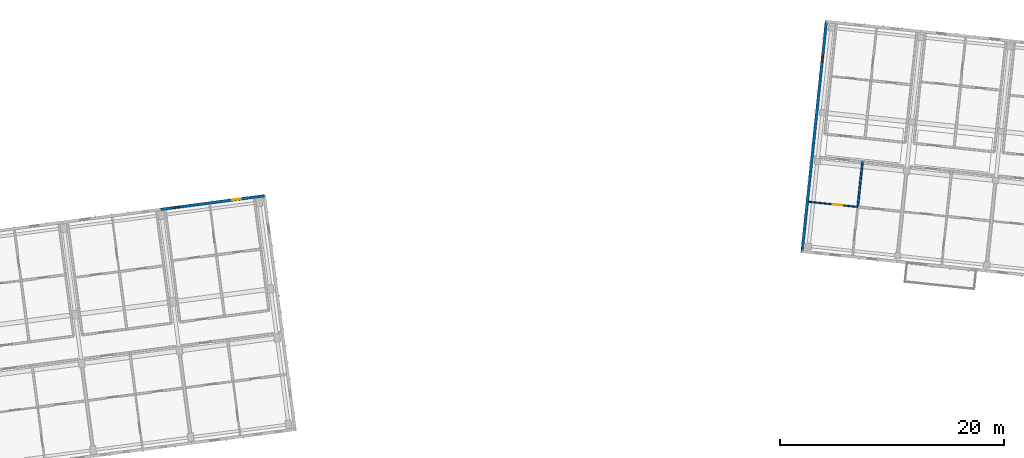
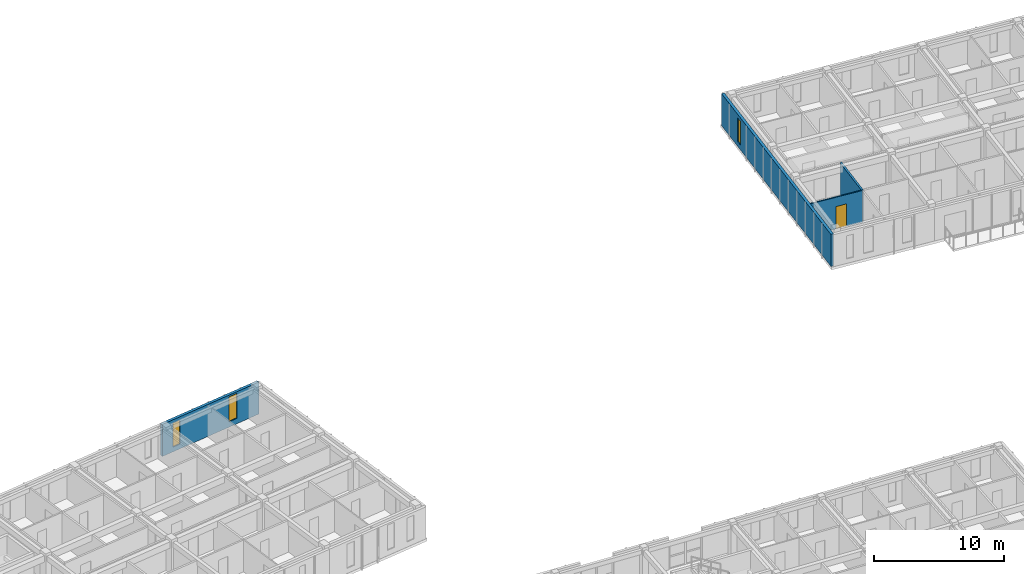
# One storey, part 32 of 68: 4 walls, 3 windows, 1 door, 4 openings.
"""IFC4 building model written with IfcOpenShell, lengths in metres."""

from ifc_helpers import new_model, si_unit, direction, frame, frame_2d, origin, place, context, subcontext, project, spatial, rectangle, extrude, material, layer, layer_set, type_object, element, fill, save


model = new_model("IFC4")

# Units and contexts
model_context = context("Model", 3, precision=1e-05, world=origin(), true_north=direction((0.0, 1.0)))
body_context = subcontext(model_context, "Body", "Model", "MODEL_VIEW")
ifc_project = project(units=[si_unit("LENGTHUNIT", "METRE"), si_unit("AREAUNIT", "SQUARE_METRE"), si_unit("VOLUMEUNIT", "CUBIC_METRE"), si_unit("PLANEANGLEUNIT", "RADIAN"), si_unit("MASSUNIT", "GRAM", prefix="KILO")], contexts=[model_context])

# Site, building, storey
site_placement = place(None, origin())
site = spatial("IfcSite", under=ifc_project, at=site_placement, CompositionType="ELEMENT")
building_placement = place(site_placement, origin())
building = spatial("IfcBuilding", under=site, at=building_placement, Name="Kestramere Prow Commons", CompositionType="ELEMENT")
storey_placement = place(building_placement, frame((0.0, 0.0, 18.14990234375)))
storey = spatial("IfcBuildingStorey", under=building, at=storey_placement, Name="L05", CompositionType="ELEMENT", Elevation=18.14990234375)

# Wall, openings, windows
ifc_material_1 = material(Name="Fluoropolymer Standing-Seam Zinc-Aluminium Cladding", Category="aluminium")
ifc_layer_1 = layer(ifc_material_1, 0.239990234375)
ifc_layer_set_1 = layer_set([ifc_layer_1], Name="Fluoropolymer Standing-Seam Zinc-Aluminium Cladding")
wall_type_1 = type_object("IfcWallType", Name="EW-SEAM-240", PredefinedType="SOLIDWALL", material=ifc_layer_set_1)
wall_1_placement = place(storey_placement, frame((52.14453125, 98.092529296875, 0.0), z_axis=(0.0, 0.0, 1.0), x_axis=(0.991442885224, 0.130541201693, 0.0)))
wall_1 = element("IfcWall", 1, at=wall_1_placement, inside=storey, type_object=wall_type_1, Name="Block A L05 North Standing-Seam Wall 6", PredefinedType="SOLIDWALL", context=body_context, shape_type="SweptSolid", body=[
    extrude(rectangle(XDim=9.324951171875, YDim=0.239990234375, at=frame_2d((4.66259765625, 0.0))), origin(), (0.0, 0.0, 1.0), 3.0),
])
opening_1_placement = place(wall_1_placement, frame((1.0126953125, 0.0, 0.43994140625)))
opening_1 = element("IfcOpeningElement", 2, at=opening_1_placement, cuts=wall_1, Name="Opening WN-06", PredefinedType="OPENING", context=body_context, shape_type="SweptSolid", body=[
    extrude(rectangle(XDim=0.679931640625, YDim=2.239990234375, at=frame_2d((0.33984375, 1.1201171875))), frame((0.0, 0.135009765625, 0.0), z_axis=(0.0, -1.0, 0.0), x_axis=(1.0, 0.0, 0.0)), (0.0, 0.0, 1.0), 0.27001953125),
])
opening_2_placement = place(wall_1_placement, frame((6.447998046875, 0.0, 0.5)))
opening_2 = element("IfcOpeningElement", 3, at=opening_2_placement, cuts=wall_1, Name="Opening WN-10", PredefinedType="OPENING", context=body_context, shape_type="SweptSolid", body=[
    extrude(rectangle(XDim=0.760009765625, YDim=2.340087890625, at=frame_2d((0.3798828125, 1.169921875))), frame((0.0, 0.135009765625, 0.0), z_axis=(0.0, -1.0, 0.0), x_axis=(1.0, 0.0, 0.0)), (0.0, 0.0, 1.0), 0.27001953125),
])
ifc_material_2 = material(Name="Low-E Laminated Double Glazing", Category="glass")
window_type_1 = type_object("IfcWindowType", Name="WN-NAR-680A", PartitioningType="SINGLE_PANEL", PredefinedType="WINDOW", material=ifc_material_2)
window_1_placement = place(opening_1_placement, origin())
window_1 = element("IfcWindow", 4, at=window_1_placement, inside=storey, type_object=window_type_1, Name="WN-A-L05-N-5-0", OverallHeight=2.239990234375, OverallWidth=0.679931640625, PartitioningType="SINGLE_PANEL", PredefinedType="WINDOW", context=body_context, shape_type="SweptSolid", body=[
    extrude(rectangle(XDim=0.679931640625, YDim=2.239990234375, at=frame_2d((0.33984375, 1.1201171875))), frame((0.0, 0.030029296875, 0.0), z_axis=(0.0, -1.0, 0.0), x_axis=(1.0, 0.0, 0.0)), (0.0, 0.0, 1.0), 0.06005859375),
])
fill(opening_1, window_1)
window_type_2 = type_object("IfcWindowType", Name="WN-NAR-760A", PartitioningType="SINGLE_PANEL", PredefinedType="WINDOW", material=ifc_material_2)
window_2_placement = place(opening_2_placement, origin())
window_2 = element("IfcWindow", 5, at=window_2_placement, inside=storey, type_object=window_type_2, Name="WN-A-L05-N-5-1", OverallHeight=2.340087890625, OverallWidth=0.760009765625, PartitioningType="SINGLE_PANEL", PredefinedType="WINDOW", context=body_context, shape_type="SweptSolid", body=[
    extrude(rectangle(XDim=0.760009765625, YDim=2.340087890625, at=frame_2d((0.3798828125, 1.169921875))), frame((0.0, 0.030029296875, 0.0), z_axis=(0.0, -1.0, 0.0), x_axis=(1.0, 0.0, 0.0)), (0.0, 0.0, 1.0), 0.06005859375),
])
fill(opening_2, window_2)

# Wall, opening, window
wall_2_placement = place(storey_placement, frame((109.423095703125, 94.332763671875, 0.0), z_axis=(0.0, 0.0, 1.0), x_axis=(0.1045253859, 0.994522218808, 0.0)))
wall_2 = element("IfcWall", 6, at=wall_2_placement, inside=storey, type_object=wall_type_1, Name="Block B L05 EAV Facet Wall", PredefinedType="SOLIDWALL", context=body_context, shape_type="SweptSolid", body=[
    extrude(rectangle(XDim=20.64990234375, YDim=0.239990234375, at=frame_2d((10.324951171875, 0.0))), origin(), (0.0, 0.0, 1.0), 3.0),
])
opening_3_placement = place(wall_2_placement, frame((17.06005859375, 0.0, 0.449951171875)))
opening_3 = element("IfcOpeningElement", 7, at=opening_3_placement, cuts=wall_2, Name="Opening WN-02", PredefinedType="OPENING", context=body_context, shape_type="SweptSolid", body=[
    extrude(rectangle(XDim=0.60009765625, YDim=2.219970703125, at=frame_2d((0.300048828125, 1.10986328125))), frame((0.0, 0.135009765625, 0.0), z_axis=(0.0, -1.0, 0.0), x_axis=(1.0, 0.0, 0.0)), (0.0, 0.0, 1.0), 0.27001953125),
])
window_type_3 = type_object("IfcWindowType", Name="WN-NAR-600A", PartitioningType="SINGLE_PANEL", PredefinedType="WINDOW", material=ifc_material_2)
window_3_placement = place(opening_3_placement, origin())
window_3 = element("IfcWindow", 8, at=window_3_placement, inside=storey, type_object=window_type_3, Name="WN-B-L05-EAV-1", OverallHeight=2.219970703125, OverallWidth=0.60009765625, PartitioningType="SINGLE_PANEL", PredefinedType="WINDOW", context=body_context, shape_type="SweptSolid", body=[
    extrude(rectangle(XDim=0.60009765625, YDim=2.219970703125, at=frame_2d((0.300048828125, 1.10986328125))), frame((0.0, 0.030029296875, 0.0), z_axis=(0.0, -1.0, 0.0), x_axis=(1.0, 0.0, 0.0)), (0.0, 0.0, 1.0), 0.06005859375),
])
fill(opening_3, window_3)

# Wall, opening, door
ifc_material_3 = material(Name="Gypsum Acoustic Drywall")
ifc_layer_2 = layer(ifc_material_3, 0.110107421875)
ifc_layer_set_2 = layer_set([ifc_layer_2], Name="Gypsum Acoustic Drywall")
wall_type_2 = type_object("IfcWallType", Name="W-PART-110", PredefinedType="PARTITIONING", material=ifc_layer_set_2)
wall_3_placement = place(storey_placement, frame((110.02001953125, 98.76953125, 0.0), z_axis=(0.0, 0.0, 1.0), x_axis=(0.994525828039, -0.104491039633, 0.0)))
wall_3 = element("IfcWall", 9, at=wall_3_placement, inside=storey, type_object=wall_type_2, Name="Interior Partition PW-B-L05-MIDS1-0", PredefinedType="PARTITIONING", context=body_context, shape_type="SweptSolid", body=[
    extrude(rectangle(XDim=4.39501953125, YDim=0.110107421875, at=frame_2d((2.197509765625, 0.0))), origin(), (0.0, 0.0, 1.0), 2.97021484375),
])
opening_4_placement = place(wall_3_placement, frame((2.135009765625, 0.0, 0.0)))
opening_4 = element("IfcOpeningElement", 10, at=opening_4_placement, cuts=wall_3, Name="Opening ID-08", PredefinedType="OPENING", context=body_context, shape_type="SweptSolid", body=[
    extrude(rectangle(XDim=0.89990234375, YDim=2.10009765625, at=frame_2d((0.449951171875, 1.050048828125))), frame((0.0, 0.070068359375, 0.0), z_axis=(0.0, -1.0, 0.0), x_axis=(1.0, 0.0, 0.0)), (0.0, 0.0, 1.0), 0.14013671875),
])
ifc_material_4 = material(Name="Engineered Timber Flush Door", Category="wood")
door_type = type_object("IfcDoorType", Name="D-RM-01", OperationType="NOTDEFINED", PredefinedType="DOOR", material=ifc_material_4)
door_placement = place(opening_4_placement, origin())
door = element("IfcDoor", 11, at=door_placement, inside=storey, type_object=door_type, Name="Interior Door DR-B-L05-KL-S0", OperationType="SINGLE_SWING_RIGHT", OverallHeight=2.10009765625, OverallWidth=0.89990234375, PredefinedType="DOOR", context=body_context, shape_type="SweptSolid", body=[
    extrude(rectangle(XDim=0.89990234375, YDim=2.10009765625, at=frame_2d((0.449951171875, 1.050048828125))), frame((0.0, 0.02490234375, 0.0), z_axis=(0.0, -1.0, 0.0), x_axis=(1.0, 0.0, 0.0)), (0.0, 0.0, 1.0), 0.050048828125),
])
fill(opening_4, door)

# Wall
ifc_material_5 = material(Name="Waterproof Sanitary Masonry Wall", Category="masonry")
ifc_layer_3 = layer(ifc_material_5, 0.1650390625)
ifc_layer_set_3 = layer_set([ifc_layer_3], Name="Waterproof Sanitary Masonry Wall")
wall_type_3 = type_object("IfcWallType", Name="W-PLUMB-150", PredefinedType="PLUMBINGWALL", material=ifc_layer_set_3)
wall_4_placement = place(storey_placement, frame((114.390869140625, 98.310302734375, 0.0), z_axis=(0.0, 0.0, 1.0), x_axis=(0.104556757316, 0.994518921137, 0.0)))
element("IfcWall", 12, at=wall_4_placement, inside=storey, type_object=wall_type_3, Name="Interior Partition PW-B-L05-KB-S0", PredefinedType="PLUMBINGWALL", context=body_context, shape_type="SweptSolid", body=[
    extrude(rectangle(XDim=4.06982421875, YDim=0.1650390625, at=frame_2d((2.034912109375, 0.0))), origin(), (0.0, 0.0, 1.0), 2.97021484375),
])

save(model, "model.ifc")
